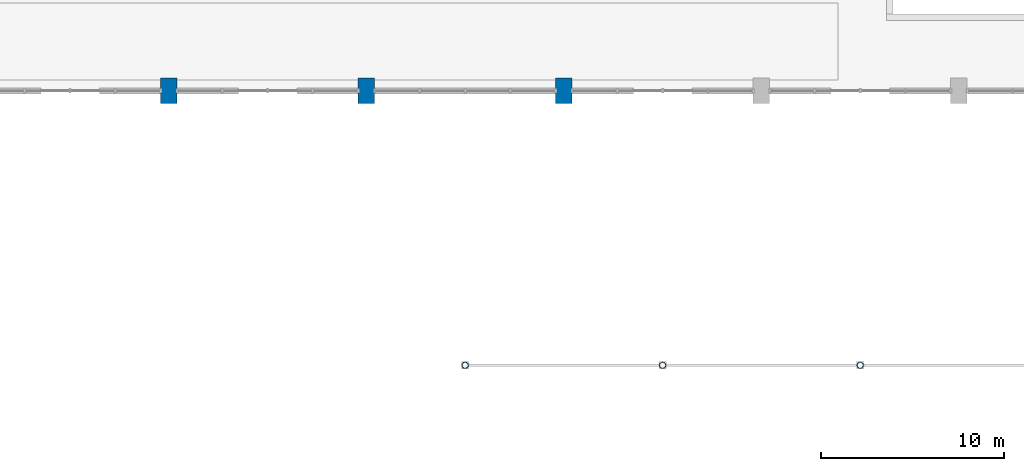
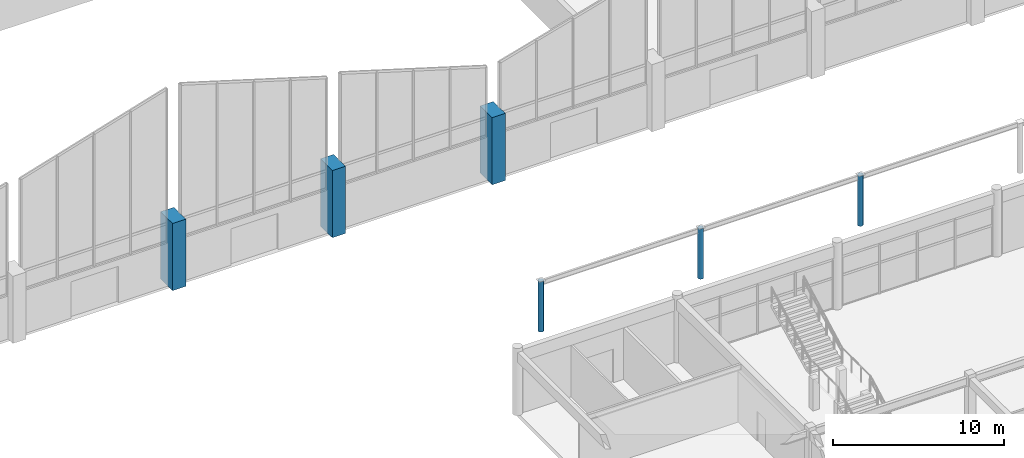
# One storey, part 4 of 82: 6 columns.
"""IFC4 building model written with IfcOpenShell, lengths in metres."""

from ifc_helpers import new_model, si_unit, direction, frame, origin, origin_2d, place, context, subcontext, project, spatial, rectangle, hollow_circle, extrude, material, material_profile, profile_set, type_object, element, save


model = new_model("IFC4")

# Units and contexts
model_context = context("Model", 3, precision=1e-05, world=origin(), true_north=direction((0.0, 1.0)))
body_context = subcontext(model_context, "Body", "Model", "MODEL_VIEW")
ifc_project = project(units=[si_unit("LENGTHUNIT", "METRE"), si_unit("AREAUNIT", "SQUARE_METRE"), si_unit("VOLUMEUNIT", "CUBIC_METRE"), si_unit("PLANEANGLEUNIT", "RADIAN"), si_unit("MASSUNIT", "GRAM", prefix="KILO")], contexts=[model_context])

# Site, building, storey
site_placement = place(None, origin())
site = spatial("IfcSite", under=ifc_project, at=site_placement, CompositionType="ELEMENT")
building_placement = place(site_placement, origin())
building = spatial("IfcBuilding", under=site, at=building_placement, Name="Suirenkawa Promenade Aquatics Centre", CompositionType="ELEMENT")
storey_placement = place(building_placement, origin())
storey = spatial("IfcBuildingStorey", under=building, at=storey_placement, Name="L00", CompositionType="ELEMENT", Elevation=0.0)

# Columns
ifc_material_1 = material(Name="Concrete M40", Category="concrete")
ifc_material_profile_1 = material_profile(ifc_material_1, rectangle(XDim=0.89990234375, YDim=1.39990234375, at=origin_2d()), Name="RC PIER 900x1400", Category="concrete")
ifc_profile_set_1 = profile_set([ifc_material_profile_1], Name="Concrete M40")
column_type_1 = type_object("IfcColumnType", Name="CT-PIER-900x1400", PredefinedType="COLUMN", material=ifc_profile_set_1)
for number, where, z_axis, x_axis, name in (
    (1, (68.39990234375, 50.39990234375, 0.0), (0.0, 0.0, 1.0), (1.0, 0.0, 0.0), "Column CL-09 COL-0045"),
    (2, (79.199951171875, 50.39990234375, 0.0), (0.0, 0.0, 1.0), (1.0, 0.0, 0.0), "Column CL-09 COL-0116"),
    (3, (90.0, 50.39990234375, 0.0), (0.0, 0.0, 1.0), (1.0, 0.0, 0.0), "Column CL-09 COL-0122"),
):
    element("IfcColumn", number, at=place(storey_placement, frame(where, z_axis=z_axis, x_axis=x_axis)), inside=storey, type_object=column_type_1, Name=name, PredefinedType="COLUMN", context=body_context, shape_type="SweptSolid", body=[
        extrude(rectangle(XDim=0.89990234375, YDim=1.39990234375, at=origin_2d()), origin(), (0.0, 0.0, 1.0), 4.800048828125),
    ])
ifc_material_2 = material(Name="Steel IS 2062 E350 (Grade 350)", Category="steel")
ifc_material_profile_2 = material_profile(ifc_material_2, hollow_circle(Radius=0.177978515625, WallThickness=0.01611328125, at=origin_2d()), Name="CHS 356x16", Category="steel")
ifc_profile_set_2 = profile_set([ifc_material_profile_2], Name="Steel IS 2062 E350 (Grade 350)")
column_type_2 = type_object("IfcColumnType", Name="CT-STL-CHS356", PredefinedType="COLUMN", material=ifc_profile_set_2)
for number, where, z_axis, x_axis, name in (
    (4, (84.60009765625, 35.39990234375, 0.0), (0.0, 0.0, 1.0), (1.0, 0.0, 0.0), "Column CL-16 COL-1104"),
    (5, (95.39990234375, 35.39990234375, 0.0), (0.0, 0.0, 1.0), (1.0, 0.0, 0.0), "Column CL-16 COL-1106"),
    (6, (106.199951171875, 35.39990234375, 0.0), (0.0, 0.0, 1.0), (1.0, 0.0, 0.0), "Column CL-16 COL-1108"),
):
    element("IfcColumn", number, at=place(storey_placement, frame(where, z_axis=z_axis, x_axis=x_axis)), inside=storey, type_object=column_type_2, Name=name, PredefinedType="COLUMN", context=body_context, shape_type="SweptSolid", body=[
        extrude(hollow_circle(Radius=0.177978515625, WallThickness=0.01611328125, at=origin_2d()), origin(), (0.0, 0.0, 1.0), 3.60009765625),
    ])

save(model, "model.ifc")
